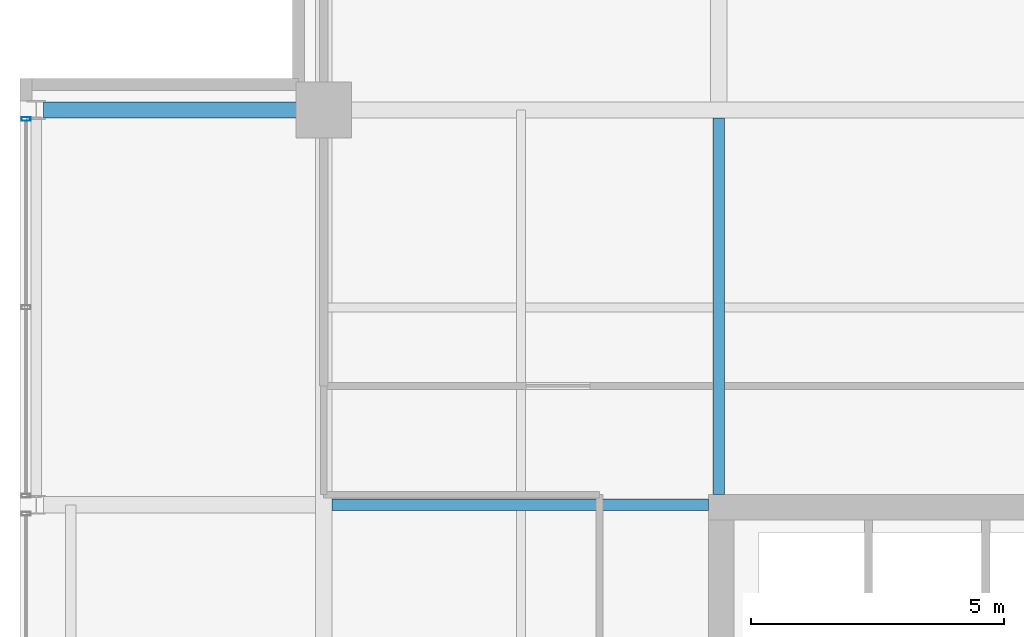
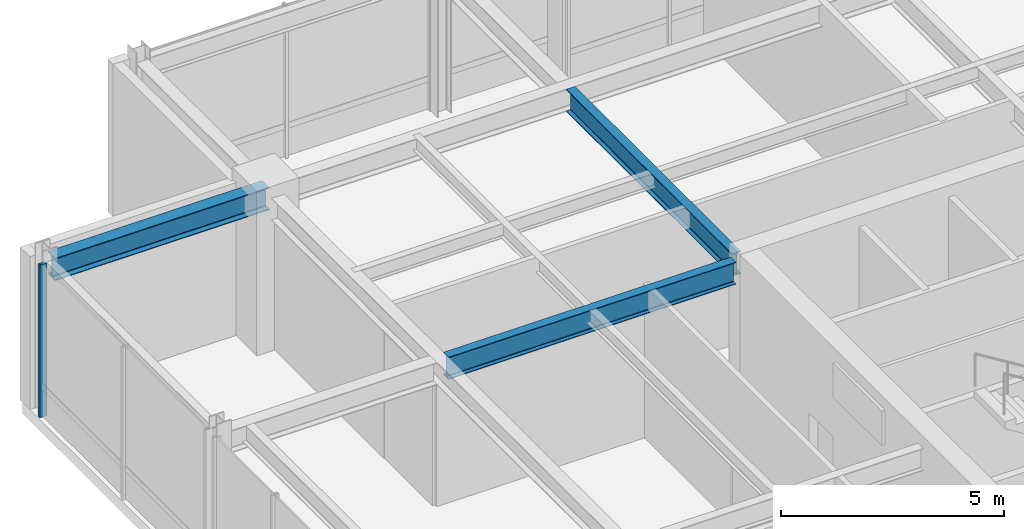
# One storey, part 19 of 32: 3 beams, 1 member, 1 element without a shape of its own.
"""IFC4 building model written with IfcOpenShell, lengths in metres."""

from ifc_helpers import new_model, si_unit, direction, frame, origin, origin_2d, place, context, subcontext, project, spatial, hollow_rectangle, i_section, extrude, material, layer, layer_set, material_profile, profile_set, type_object, element, aggregate, save


model = new_model("IFC4")

# Units and contexts
model_context = context("Model", 3, precision=1e-05, world=origin(), true_north=direction((0.0, 1.0)))
body_context = subcontext(model_context, "Body", "Model", "MODEL_VIEW")
ifc_project = project(units=[si_unit("LENGTHUNIT", "METRE"), si_unit("AREAUNIT", "SQUARE_METRE"), si_unit("VOLUMEUNIT", "CUBIC_METRE"), si_unit("PLANEANGLEUNIT", "RADIAN"), si_unit("MASSUNIT", "GRAM", prefix="KILO")], contexts=[model_context])

# Site, building, storey
site_placement = place(None, origin())
site = spatial("IfcSite", under=ifc_project, at=site_placement, CompositionType="ELEMENT")
building_placement = place(site_placement, origin())
building = spatial("IfcBuilding", under=site, at=building_placement, Name="Drelvath Grand Hotel", CompositionType="ELEMENT")
storey_placement = place(building_placement, frame((0.0, 0.0, 255.5)))
storey = spatial("IfcBuildingStorey", under=building, at=storey_placement, Name="L67", CompositionType="ELEMENT", Elevation=255.5)

# Curtain wall, member
ifc_material_1 = material(Name="Platinum-Mist Anodised Aluminium Frame", Category="aluminium")
ifc_layer = layer(ifc_material_1, 0.199951171875)
ifc_layer_set = layer_set([ifc_layer], Name="Platinum-Mist Anodised Aluminium Frame")
curtain_wall_type = type_object("IfcCurtainWallType", Name="Stick Curtain Wall CW-05 Platinum Mist High-Rise", PredefinedType="NOTDEFINED", material=ifc_layer_set)
curtain_wall_placement = place(storey_placement, origin())
curtain_wall = element("IfcCurtainWall", 1, at=curtain_wall_placement, inside=storey, type_object=curtain_wall_type, Name="L67 CW-05 Curtain Wall CW05-L67-WN2", PredefinedType="NOTDEFINED")
ifc_material_profile_1 = material_profile(ifc_material_1, hollow_rectangle(XDim=0.074951171875, YDim=0.179931640625, WallThickness=0.0048828125, at=origin_2d()), Name="HSS180X75X5")
ifc_profile_set_1 = profile_set([ifc_material_profile_1], Name="Platinum-Mist Anodised Aluminium Frame")
member_type = type_object("IfcMemberType", Name="Curtain Wall Vertical Mullion CW-05 HSS180X75X5", PredefinedType="MULLION", material=ifc_profile_set_1)
member_placement = place(storey_placement, frame((-22.080078125, 43.021728515625, 0.0), z_axis=(0.0, 0.0, 1.0), x_axis=(0.0, 1.0, 0.0)))
member = element("IfcMember", 2, at=member_placement, type_object=member_type, Name="CW05-L67-WN2 Mullion 3", PredefinedType="MULLION", context=body_context, shape_type="SweptSolid", body=[
    extrude(hollow_rectangle(XDim=0.074951171875, YDim=0.179931640625, WallThickness=0.0048828125, at=origin_2d()), origin(), (0.0, 0.0, 1.0), 4.179931640625),
])
aggregate(curtain_wall, [member])

# Beams
ifc_material_2 = material(Name="Steel ASTM A992 Gr 50", Category="steel")
ifc_material_profile_2 = material_profile(ifc_material_2, i_section(OverallWidth=0.323974609375, OverallDepth=0.611083984375, WebThickness=0.0126953125, FlangeThickness=0.01904296875, FilletRadius=0.02197265625, at=origin_2d()), Name="W24X104")
ifc_profile_set_2 = profile_set([ifc_material_profile_2], Name="Steel ASTM A992 Gr 50")
beam_type_1 = type_object("IfcBeamType", Name="Primary Floor Girder W24X104", PredefinedType="BEAM", material=ifc_profile_set_2)
beam_placement = place(storey_placement, frame((-21.739990234375, 43.199951171875, 3.87451171875), z_axis=(1.0, 0.0, 0.0), x_axis=(0.0, 1.0, 0.0)))
element("IfcBeam", 3, at=beam_placement, inside=storey, type_object=beam_type_1, Name="L67 West Grid Girder G", PredefinedType="BEAM", context=body_context, shape_type="SweptSolid", body=[
    extrude(i_section(OverallWidth=0.323974609375, OverallDepth=0.611083984375, WebThickness=0.0126953125, FlangeThickness=0.01904296875, FilletRadius=0.02197265625, at=origin_2d()), origin(), (0.0, 0.0, 1.0), 5.5400390625),
])
ifc_material_profile_3 = material_profile(ifc_material_2, i_section(OverallWidth=0.228271484375, OverallDepth=0.607666015625, WebThickness=0.01123046875, FlangeThickness=0.017333984375, FilletRadius=0.02001953125, at=origin_2d()), Name="W24X76")
ifc_profile_set_3 = profile_set([ifc_material_profile_3], Name="Steel ASTM A992 Gr 50")
beam_type_2 = type_object("IfcBeamType", Name="Primary Floor Girder W24X76", PredefinedType="BEAM", material=ifc_profile_set_3)
for number, where, z_axis, x_axis, name in (
    (4, (-16.0380859375, 35.39990234375, 3.876220703125), (1.0, 0.0, 0.0), (0.0, 1.0, 0.0), "L67 West Core Tie F"),
    (5, (-8.39990234375, 35.60009765625, 3.876220703125), (0.0, 1.0, 0.0), (-1.0, 0.0, 0.0), "L67 North Core Tie 4"),
):
    element("IfcBeam", number, at=place(storey_placement, frame(where, z_axis=z_axis, x_axis=x_axis)), inside=storey, type_object=beam_type_2, Name=name, PredefinedType="BEAM", context=body_context, shape_type="SweptSolid", body=[
        extrude(i_section(OverallWidth=0.228271484375, OverallDepth=0.607666015625, WebThickness=0.01123046875, FlangeThickness=0.017333984375, FilletRadius=0.02001953125, at=origin_2d()), origin(), (0.0, 0.0, 1.0), 7.43798828125),
    ])

save(model, "model.ifc")
